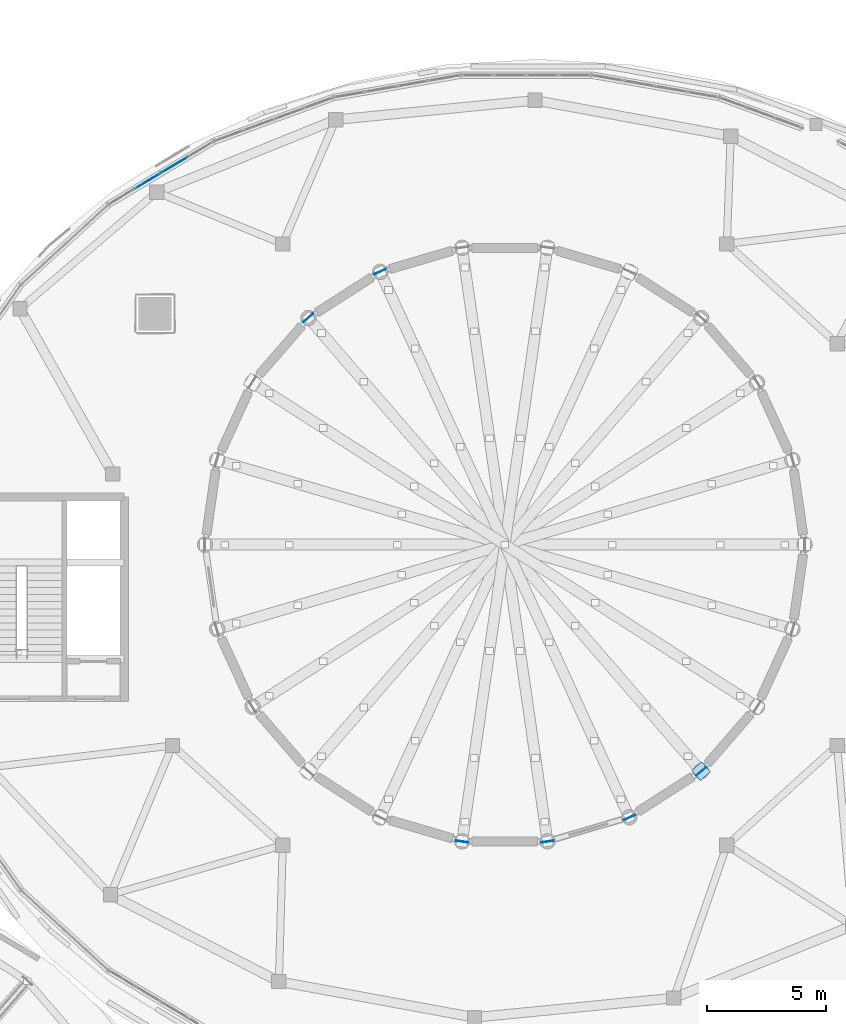
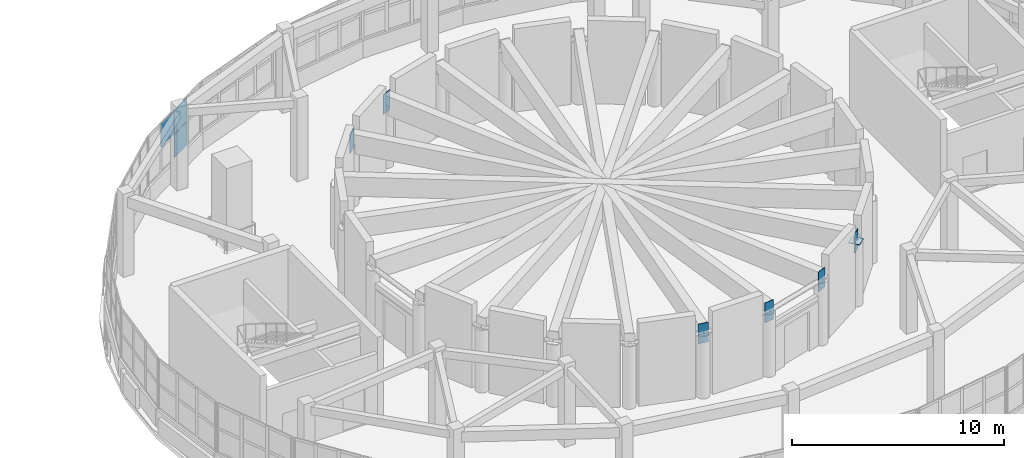
# One storey, part 46 of 69: 10 plates, 1 element without a shape of its own.
"""IFC4 building model written with IfcOpenShell, lengths in metres."""

from ifc_helpers import new_model, si_unit, direction, frame, origin, origin_2d, place, context, subcontext, project, spatial, rectangle, extrude, material, layer, layer_set, type_object, element, aggregate, save


model = new_model("IFC4")

# Units and contexts
model_context = context("Model", 3, precision=1e-05, world=origin(), true_north=direction((0.0, 1.0)))
body_context = subcontext(model_context, "Body", "Model", "MODEL_VIEW")
ifc_project = project(units=[si_unit("LENGTHUNIT", "METRE"), si_unit("AREAUNIT", "SQUARE_METRE"), si_unit("VOLUMEUNIT", "CUBIC_METRE"), si_unit("PLANEANGLEUNIT", "RADIAN"), si_unit("MASSUNIT", "GRAM", prefix="KILO")], contexts=[model_context])

# Site, building, storey
site_placement = place(None, origin())
site = spatial("IfcSite", under=ifc_project, at=site_placement, CompositionType="ELEMENT")
building_placement = place(site_placement, origin())
building = spatial("IfcBuilding", under=site, at=building_placement, Name="Pelvatis Terrace Science Centre", CompositionType="ELEMENT")
storey_placement = place(building_placement, frame((0.0, 0.0, 15.0)))
storey = spatial("IfcBuildingStorey", under=building, at=storey_placement, Name="L03", CompositionType="ELEMENT", Elevation=15.0)

# Curtain wall, plates
ifc_material_1 = material(Name="Bronze-anodised aluminium and laminated glass", Category="aluminium")
ifc_layer_1 = layer(ifc_material_1, 0.179931640625)
ifc_layer_set_1 = layer_set([ifc_layer_1], Name="Bronze-anodised aluminium and laminated glass")
curtain_wall_type = type_object("IfcCurtainWallType", Name="CW-RIBBON-A", PredefinedType="NOTDEFINED", material=ifc_layer_set_1)
curtain_wall_placement = place(storey_placement, origin())
curtain_wall = element("IfcCurtainWall", 1, at=curtain_wall_placement, inside=storey, type_object=curtain_wall_type, Name="Ribbon curtain wall CW-193 (L03)", PredefinedType="NOTDEFINED")
ifc_material_2 = material(Name="Low-e laminated solar-control double glazing", Category="glass")
ifc_layer_2 = layer(ifc_material_2, 0.035888671875)
ifc_layer_set_2 = layer_set([ifc_layer_2], Name="Low-e laminated solar-control double glazing")
plate_type_1 = type_object("IfcPlateType", Name="CWP-IGU-36", PredefinedType="CURTAIN_PANEL", material=ifc_layer_set_2)
plate_1_placement = place(storey_placement, frame((95.31005859375, 101.751708984375, 1.080078125), z_axis=(0.0, 0.0, 1.0), x_axis=(-0.857792823096, -0.51399559594, 0.0)))
plate_1 = element("IfcPlate", 2, at=plate_1_placement, type_object=plate_type_1, Name="CW-193 panel 2.1", PredefinedType="CURTAIN_PANEL", context=body_context, shape_type="SweptSolid", body=[
    extrude(rectangle(XDim=1.23388671875, YDim=0.035888671875, at=origin_2d()), origin(), (0.0, 0.0, 1.0), 1.3349609375),
])
plate_2_placement = place(storey_placement, frame((95.31005859375, 101.751708984375, 2.47509765625), z_axis=(0.0, 0.0, 1.0), x_axis=(-0.857792823096, -0.51399559594, 0.0)))
plate_2 = element("IfcPlate", 3, at=plate_2_placement, type_object=plate_type_1, Name="CW-193 panel 2.2", PredefinedType="CURTAIN_PANEL", context=body_context, shape_type="SweptSolid", body=[
    extrude(rectangle(XDim=1.23388671875, YDim=0.035888671875, at=origin_2d()), origin(), (0.0, 0.0, 1.0), 1.3349609375),
])
plate_3_placement = place(storey_placement, frame((94.2001953125, 101.086669921875, 2.47509765625), z_axis=(0.0, 0.0, 1.0), x_axis=(-0.857792823096, -0.51399559594, 0.0)))
plate_3 = element("IfcPlate", 4, at=plate_3_placement, type_object=plate_type_1, Name="CW-193 panel 3.2", PredefinedType="CURTAIN_PANEL", context=body_context, shape_type="SweptSolid", body=[
    extrude(rectangle(XDim=1.23388671875, YDim=0.035888671875, at=origin_2d()), origin(), (0.0, 0.0, 1.0), 1.3349609375),
])
aggregate(curtain_wall, [plate_1, plate_2, plate_3])

# Plates
ifc_material_3 = material(Name="Structural steel S355", Category="steel")
ifc_layer_3 = layer(ifc_material_3, 0.030029296875)
ifc_layer_set_3 = layer_set([ifc_layer_3], Name="Structural steel S355")
plate_type_2 = type_object("IfcPlateType", Name="PLT-CAP-560x560x30", PredefinedType="USERDEFINED", material=ifc_layer_set_3)
plate_4_placement = place(storey_placement, frame((117.451171875, 76.277587890625, 3.5849609375), z_axis=(0.0, 0.0, 1.0), x_axis=(0.654872725061, -0.755739183826, 0.0)))
element("IfcPlate", 5, at=plate_4_placement, inside=storey, type_object=plate_type_2, Name="Dome bearing cap plate 20", ObjectType="CAP PLATE", PredefinedType="USERDEFINED", context=body_context, shape_type="SweptSolid", body=[
    extrude(rectangle(XDim=0.56005859375, YDim=0.56005859375, at=origin_2d()), origin(), (0.0, 0.0, 1.0), 0.030029296875),
])
ifc_material_4 = material(Name="Structural steel S355", Category="steel")
ifc_layer_4 = layer(ifc_material_4, 1.139892578125)
ifc_layer_set_4 = layer_set([ifc_layer_4], Name="Structural steel S355")
plate_type_3 = type_object("IfcPlateType", Name="PLT-CAP-BOX1100", PredefinedType="USERDEFINED", material=ifc_layer_set_4)
for number, where, z_axis, x_axis, name in (
    (6, (107.405029296875, 73.31640625, 3.0302734375), (0.0, 0.0, 1.0), (-0.142283427941, -0.989825957496, 0.0), "Hollow box girder end cap plate 026"),
    (7, (110.994873046875, 73.31640625, 3.0302734375), (0.0, 0.0, 1.0), (0.142283427941, -0.989825957496, 0.0), "Hollow box girder end cap plate 028"),
    (8, (103.960693359375, 97.272216796875, 3.0302734375), (0.0, 0.0, 1.0), (0.415487175664, -0.909599036311, 0.0), "Hollow box girder end cap plate 029"),
    (9, (114.439208984375, 74.32763671875, 3.0302734375), (0.0, 0.0, 1.0), (0.415487175664, -0.909599036311, 0.0), "Hollow box girder end cap plate 030"),
    (10, (100.94091796875, 95.33154296875, 3.0302734375), (0.0, 0.0, 1.0), (0.654872725061, -0.755739183826, 0.0), "Hollow box girder end cap plate 031"),
    (11, (117.458984375, 76.2685546875, 3.0302734375), (0.0, 0.0, 1.0), (0.654872725061, -0.755739183826, 0.0), "Hollow box girder end cap plate 032"),
):
    element("IfcPlate", number, at=place(storey_placement, frame(where, z_axis=z_axis, x_axis=x_axis)), inside=storey, type_object=plate_type_3, Name=name, ObjectType="CAP PLATE", PredefinedType="USERDEFINED", context=body_context, shape_type="SweptSolid", body=[
        extrude(rectangle(XDim=0.031982421875, YDim=0.52001953125, at=origin_2d()), origin(), (0.0, 0.0, 1.0), 1.139892578125),
    ])

save(model, "model.ifc")
